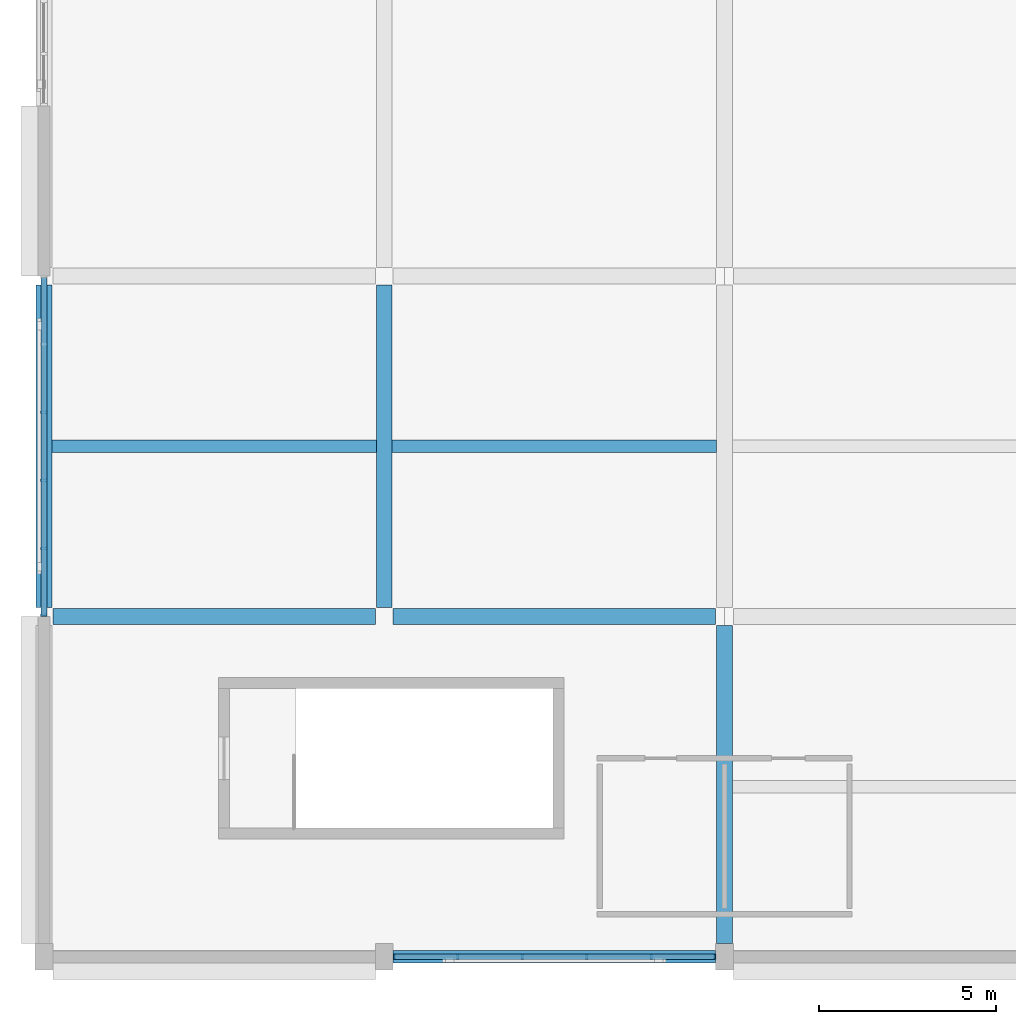
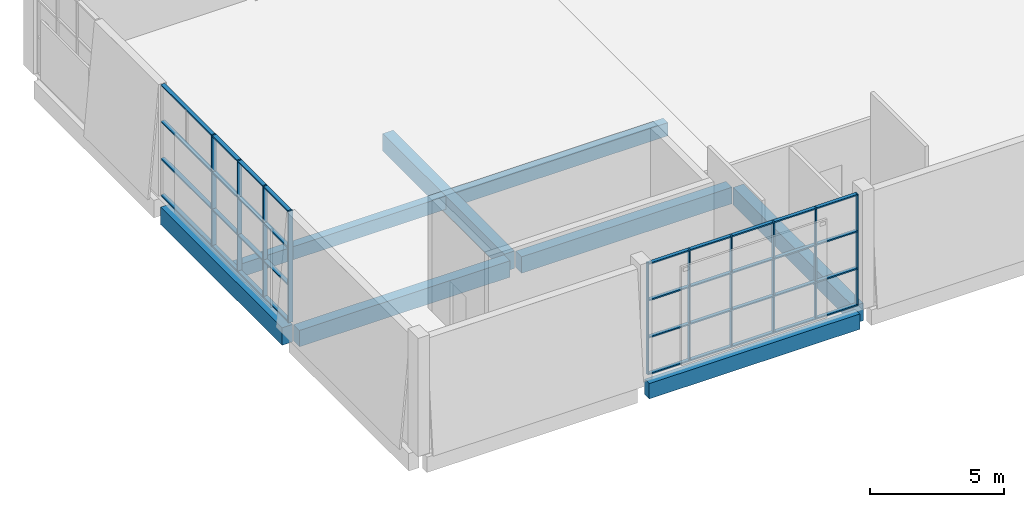
# One storey, part 3 of 72: 18 members, 8 beams, 2 elements without a shape of their own.
"""IFC4 building model written with IfcOpenShell, lengths in metres."""

from ifc_helpers import new_model, si_unit, direction, frame, origin, origin_2d, place, context, subcontext, project, spatial, rectangle, extrude, material, material_profile, profile_set, type_object, element, aggregate, save


model = new_model("IFC4")

# Units and contexts
model_context = context("Model", 3, precision=1e-05, world=origin(), true_north=direction((0.0, 1.0)))
body_context = subcontext(model_context, "Body", "Model", "MODEL_VIEW")
ifc_project = project(units=[si_unit("LENGTHUNIT", "METRE"), si_unit("AREAUNIT", "SQUARE_METRE"), si_unit("VOLUMEUNIT", "CUBIC_METRE"), si_unit("PLANEANGLEUNIT", "RADIAN"), si_unit("MASSUNIT", "GRAM", prefix="KILO")], contexts=[model_context])

# Site, building, storey
site_placement = place(None, origin())
site = spatial("IfcSite", under=ifc_project, at=site_placement, CompositionType="ELEMENT")
building_placement = place(site_placement, origin())
building = spatial("IfcBuilding", under=site, at=building_placement, Name="Shalvenor Court Art Gallery", CompositionType="ELEMENT")
storey_placement = place(building_placement, frame((0.0, 0.0, 11.39990234375)))
storey = spatial("IfcBuildingStorey", under=building, at=storey_placement, Name="L02", CompositionType="ELEMENT", Elevation=11.39990234375)

# Beams
ifc_material_1 = material(Name="Concrete C40/50", Category="concrete")
ifc_material_profile_1 = material_profile(ifc_material_1, rectangle(XDim=0.449951171875, YDim=0.800048828125, at=origin_2d()), Name="RC 450x800")
ifc_profile_set_1 = profile_set([ifc_material_profile_1], Name="Concrete C40/50")
beam_type_1 = type_object("IfcBeamType", Name="B-03", PredefinedType="BEAM", material=ifc_profile_set_1)
for number, where, z_axis, x_axis, name in (
    (1, (0.0, 9.85009765625, -0.719970703125), (0.0, 1.0, 0.0), (-1.0, 0.0, 0.0), "L02 Girder BM-L02-B-03-0688"),
    (2, (9.60009765625, 9.85009765625, -0.719970703125), (0.0, 1.0, 0.0), (-1.0, 0.0, 0.0), "L02 Girder BM-L02-B-03-0695"),
):
    element("IfcBeam", number, at=place(storey_placement, frame(where, z_axis=z_axis, x_axis=x_axis)), inside=storey, type_object=beam_type_1, Name=name, PredefinedType="BEAM", context=body_context, shape_type="SweptSolid", body=[
        extrude(rectangle(XDim=0.449951171875, YDim=0.800048828125, at=origin_2d()), origin(), (0.0, 0.0, 1.0), 9.099853515625),
    ])
beam_1_placement = place(storey_placement, frame((19.199951171875, 0.375, -0.719970703125), z_axis=(0.0, 1.0, 0.0), x_axis=(-1.0, 0.0, 0.0)))
element("IfcBeam", 3, at=beam_1_placement, inside=storey, type_object=beam_type_1, Name="L02 Girder BM-L02-B-03-0702", PredefinedType="BEAM", context=body_context, shape_type="SweptSolid", body=[
    extrude(rectangle(XDim=0.449951171875, YDim=0.800048828125, at=origin_2d()), origin(), (0.0, 0.0, 1.0), 8.97509765625),
])
ifc_material_2 = material(Name="Concrete C40/50", Category="concrete")
ifc_material_profile_2 = material_profile(ifc_material_2, rectangle(XDim=0.449951171875, YDim=0.75, at=origin_2d()), Name="RC 450x750")
ifc_profile_set_2 = profile_set([ifc_material_profile_2], Name="Concrete C40/50")
beam_type_2 = type_object("IfcBeamType", Name="B-04", PredefinedType="BEAM", material=ifc_profile_set_2)
beam_2_placement = place(storey_placement, frame((0.25, 9.60009765625, -0.69482421875), z_axis=(1.0, 0.0, 0.0), x_axis=(0.0, 1.0, 0.0)))
element("IfcBeam", 4, at=beam_2_placement, inside=storey, type_object=beam_type_2, Name="L02 Girder BM-L02-B-04-0807", PredefinedType="BEAM", context=body_context, shape_type="SweptSolid", body=[
    extrude(rectangle(XDim=0.449951171875, YDim=0.75, at=origin_2d()), origin(), (0.0, 0.0, 1.0), 9.10009765625),
])
beam_3_placement = place(storey_placement, frame((9.85009765625, 9.60009765625, -0.69482421875), z_axis=(1.0, 0.0, 0.0), x_axis=(0.0, 1.0, 0.0)))
element("IfcBeam", 5, at=beam_3_placement, inside=storey, type_object=beam_type_2, Name="L02 Girder BM-L02-B-04-0808", PredefinedType="BEAM", context=body_context, shape_type="SweptSolid", body=[
    extrude(rectangle(XDim=0.449951171875, YDim=0.75, at=origin_2d()), origin(), (0.0, 0.0, 1.0), 9.099853515625),
])

# Curtain wall, members
ifc_material_3 = material(Name="Anodised aluminium and low-iron glass curtain wall", Category="aluminium")
curtain_wall_type_1 = type_object("IfcCurtainWallType", Name="CW-5x3-96-51-121", PredefinedType="USERDEFINED", material=ifc_material_3)
curtain_wall_1_placement = place(storey_placement, origin())
curtain_wall_1 = element("IfcCurtainWall", 6, at=curtain_wall_1_placement, inside=storey, type_object=curtain_wall_type_1, Name="L02 V4 Curtain Wall CW-L02-148", ObjectType="CURTAIN WALL", PredefinedType="USERDEFINED")
ifc_material_4 = material(Name="Anodised aluminium mullion", Category="aluminium")
ifc_material_profile_3 = material_profile(ifc_material_4, rectangle(XDim=0.06494140625, YDim=0.179931640625, at=origin_2d()), Name="CWM-01")
ifc_profile_set_3 = profile_set([ifc_material_profile_3], Name="Anodised aluminium mullion")
member_type_1 = type_object("IfcMemberType", Name="CWM-01", PredefinedType="MULLION", material=ifc_profile_set_3)
member_1_placement = place(storey_placement, frame((0.0, 9.632568359375, 0.0), z_axis=(0.0, 0.0, 1.0), x_axis=(0.0, 1.0, 0.0)))
member_1 = element("IfcMember", 7, at=member_1_placement, type_object=member_type_1, Name="CW-5x3-96-51-121 mullion 1", PredefinedType="MULLION", context=body_context, shape_type="SweptSolid", body=[
    extrude(rectangle(XDim=0.06494140625, YDim=0.179931640625, at=origin_2d()), origin(), (0.0, 0.0, 1.0), 5.10009765625),
])
member_2_placement = place(storey_placement, frame((0.0, 11.52001953125, 0.0), z_axis=(0.0, 0.0, 1.0), x_axis=(0.0, 1.0, 0.0)))
member_2 = element("IfcMember", 8, at=member_2_placement, type_object=member_type_1, Name="CW-5x3-96-51-121 mullion 2", PredefinedType="MULLION", context=body_context, shape_type="SweptSolid", body=[
    extrude(rectangle(XDim=0.06494140625, YDim=0.179931640625, at=origin_2d()), origin(), (0.0, 0.0, 1.0), 5.10009765625),
])
member_3_placement = place(storey_placement, frame((0.0, 13.43994140625, 0.0), z_axis=(0.0, 0.0, 1.0), x_axis=(0.0, 1.0, 0.0)))
member_3 = element("IfcMember", 9, at=member_3_placement, type_object=member_type_1, Name="CW-5x3-96-51-121 mullion 3", PredefinedType="MULLION", context=body_context, shape_type="SweptSolid", body=[
    extrude(rectangle(XDim=0.06494140625, YDim=0.179931640625, at=origin_2d()), origin(), (0.0, 0.0, 1.0), 5.10009765625),
])
member_4_placement = place(storey_placement, frame((0.0, 15.360107421875, 0.0), z_axis=(0.0, 0.0, 1.0), x_axis=(0.0, 1.0, 0.0)))
member_4 = element("IfcMember", 10, at=member_4_placement, type_object=member_type_1, Name="CW-5x3-96-51-121 mullion 4", PredefinedType="MULLION", context=body_context, shape_type="SweptSolid", body=[
    extrude(rectangle(XDim=0.06494140625, YDim=0.179931640625, at=origin_2d()), origin(), (0.0, 0.0, 1.0), 5.10009765625),
])

ifc_material_5 = material(Name="Anodised aluminium and low-iron glass curtain wall", Category="aluminium")
curtain_wall_type_2 = type_object("IfcCurtainWallType", Name="CW-5x3-91-51-611", PredefinedType="USERDEFINED", material=ifc_material_5)
curtain_wall_2_placement = place(storey_placement, origin())
curtain_wall_2 = element("IfcCurtainWall", 11, at=curtain_wall_2_placement, inside=storey, type_object=curtain_wall_type_2, Name="L02 V4 Curtain Wall CW-L02-147", ObjectType="CURTAIN WALL", PredefinedType="USERDEFINED")
ifc_material_6 = material(Name="Anodised aluminium mullion", Category="aluminium")
ifc_material_profile_4 = material_profile(ifc_material_6, rectangle(XDim=0.054931640625, YDim=0.139892578125, at=origin_2d()), Name="CWM-06")
ifc_profile_set_4 = profile_set([ifc_material_profile_4], Name="Anodised aluminium mullion")
member_type_2 = type_object("IfcMemberType", Name="CWM-06", PredefinedType="MULLION", material=ifc_profile_set_4)
member_5_placement = place(storey_placement, frame((18.922607421875, 0.0, 0.0), z_axis=(0.0, 0.0, 1.0), x_axis=(-1.0, 0.0, 0.0)))
member_5 = element("IfcMember", 12, at=member_5_placement, type_object=member_type_2, Name="CW-5x3-91-51-611 mullion 1", PredefinedType="MULLION", context=body_context, shape_type="SweptSolid", body=[
    extrude(rectangle(XDim=0.054931640625, YDim=0.139892578125, at=origin_2d()), origin(), (0.0, 0.0, 1.0), 5.10009765625),
])
member_6_placement = place(storey_placement, frame((17.1298828125, 0.0, 0.0), z_axis=(0.0, 0.0, 1.0), x_axis=(-1.0, 0.0, 0.0)))
member_6 = element("IfcMember", 13, at=member_6_placement, type_object=member_type_2, Name="CW-5x3-91-51-611 mullion 2", PredefinedType="MULLION", context=body_context, shape_type="SweptSolid", body=[
    extrude(rectangle(XDim=0.054931640625, YDim=0.139892578125, at=origin_2d()), origin(), (0.0, 0.0, 1.0), 5.10009765625),
])
member_7_placement = place(storey_placement, frame((15.31005859375, 0.0, 0.0), z_axis=(0.0, 0.0, 1.0), x_axis=(-1.0, 0.0, 0.0)))
member_7 = element("IfcMember", 14, at=member_7_placement, type_object=member_type_2, Name="CW-5x3-91-51-611 mullion 3", PredefinedType="MULLION", context=body_context, shape_type="SweptSolid", body=[
    extrude(rectangle(XDim=0.054931640625, YDim=0.139892578125, at=origin_2d()), origin(), (0.0, 0.0, 1.0), 5.10009765625),
])
member_8_placement = place(storey_placement, frame((13.489990234375, 0.0, 0.0), z_axis=(0.0, 0.0, 1.0), x_axis=(-1.0, 0.0, 0.0)))
member_8 = element("IfcMember", 15, at=member_8_placement, type_object=member_type_2, Name="CW-5x3-91-51-611 mullion 4", PredefinedType="MULLION", context=body_context, shape_type="SweptSolid", body=[
    extrude(rectangle(XDim=0.054931640625, YDim=0.139892578125, at=origin_2d()), origin(), (0.0, 0.0, 1.0), 5.10009765625),
])
member_9_placement = place(storey_placement, frame((11.669921875, 0.0, 0.0), z_axis=(0.0, 0.0, 1.0), x_axis=(-1.0, 0.0, 0.0)))
member_9 = element("IfcMember", 16, at=member_9_placement, type_object=member_type_2, Name="CW-5x3-91-51-611 mullion 5", PredefinedType="MULLION", context=body_context, shape_type="SweptSolid", body=[
    extrude(rectangle(XDim=0.054931640625, YDim=0.139892578125, at=origin_2d()), origin(), (0.0, 0.0, 1.0), 5.10009765625),
])
member_10_placement = place(storey_placement, frame((9.87744140625, 0.0, 0.0), z_axis=(0.0, 0.0, 1.0), x_axis=(-1.0, 0.0, 0.0)))
member_10 = element("IfcMember", 17, at=member_10_placement, type_object=member_type_2, Name="CW-5x3-91-51-611 mullion 6", PredefinedType="MULLION", context=body_context, shape_type="SweptSolid", body=[
    extrude(rectangle(XDim=0.054931640625, YDim=0.139892578125, at=origin_2d()), origin(), (0.0, 0.0, 1.0), 5.10009765625),
])
ifc_material_7 = material(Name="Anodised aluminium transom", Category="aluminium")
ifc_material_profile_5 = material_profile(ifc_material_7, rectangle(XDim=0.14990234375, YDim=0.06005859375, at=origin_2d()), Name="CWT-01")
ifc_profile_set_5 = profile_set([ifc_material_profile_5], Name="Anodised aluminium transom")
member_type_3 = type_object("IfcMemberType", Name="CWT-01", PredefinedType="USERDEFINED", material=ifc_profile_set_5)
member_11_placement = place(storey_placement, frame((18.922607421875, 0.0, 0.030029296875), z_axis=(-1.0, 0.0, 0.0), x_axis=(0.0, -1.0, 0.0)))
member_11 = element("IfcMember", 18, at=member_11_placement, type_object=member_type_3, Name="CW-5x3-91-51-611 transom 1", ObjectType="TRANSOM", PredefinedType="USERDEFINED", context=body_context, shape_type="SweptSolid", body=[
    extrude(rectangle(XDim=0.14990234375, YDim=0.06005859375, at=origin_2d()), origin(), (0.0, 0.0, 1.0), 9.045166015625),
])
member_12_placement = place(storey_placement, frame((18.922607421875, 0.0, 1.7001953125), z_axis=(-1.0, 0.0, 0.0), x_axis=(0.0, -1.0, 0.0)))
member_12 = element("IfcMember", 19, at=member_12_placement, type_object=member_type_3, Name="CW-5x3-91-51-611 transom 2", ObjectType="TRANSOM", PredefinedType="USERDEFINED", context=body_context, shape_type="SweptSolid", body=[
    extrude(rectangle(XDim=0.14990234375, YDim=0.06005859375, at=origin_2d()), origin(), (0.0, 0.0, 1.0), 9.045166015625),
])
member_13_placement = place(storey_placement, frame((18.922607421875, 0.0, 3.400146484375), z_axis=(-1.0, 0.0, 0.0), x_axis=(0.0, -1.0, 0.0)))
member_13 = element("IfcMember", 20, at=member_13_placement, type_object=member_type_3, Name="CW-5x3-91-51-611 transom 3", ObjectType="TRANSOM", PredefinedType="USERDEFINED", context=body_context, shape_type="SweptSolid", body=[
    extrude(rectangle(XDim=0.14990234375, YDim=0.06005859375, at=origin_2d()), origin(), (0.0, 0.0, 1.0), 9.045166015625),
])
member_14_placement = place(storey_placement, frame((18.922607421875, 0.0, 5.070068359375), z_axis=(-1.0, 0.0, 0.0), x_axis=(0.0, -1.0, 0.0)))
member_14 = element("IfcMember", 21, at=member_14_placement, type_object=member_type_3, Name="CW-5x3-91-51-611 transom 4", ObjectType="TRANSOM", PredefinedType="USERDEFINED", context=body_context, shape_type="SweptSolid", body=[
    extrude(rectangle(XDim=0.14990234375, YDim=0.06005859375, at=origin_2d()), origin(), (0.0, 0.0, 1.0), 9.045166015625),
])
aggregate(curtain_wall_2, [member_5, member_6, member_7, member_8, member_9, member_10, member_11, member_12, member_13, member_14])

# Member
ifc_material_8 = material(Name="Anodised aluminium transom", Category="aluminium")
ifc_material_profile_6 = material_profile(ifc_material_8, rectangle(XDim=0.169921875, YDim=0.06494140625, at=origin_2d()), Name="CWT-02")
ifc_profile_set_6 = profile_set([ifc_material_profile_6], Name="Anodised aluminium transom")
member_type_4 = type_object("IfcMemberType", Name="CWT-02", PredefinedType="USERDEFINED", material=ifc_profile_set_6)
member_15_placement = place(storey_placement, frame((0.0, 9.632568359375, 0.03271484375), z_axis=(0.0, 1.0, 0.0), x_axis=(-1.0, 0.0, 0.0)))
member_15 = element("IfcMember", 22, at=member_15_placement, type_object=member_type_4, Name="CW-5x3-96-51-121 transom 1", ObjectType="TRANSOM", PredefinedType="USERDEFINED", context=body_context, shape_type="SweptSolid", body=[
    extrude(rectangle(XDim=0.169921875, YDim=0.06494140625, at=origin_2d()), origin(), (0.0, 0.0, 1.0), 9.534912109375),
])

member_16_placement = place(storey_placement, frame((0.0, 9.632568359375, 1.7001953125), z_axis=(0.0, 1.0, 0.0), x_axis=(-1.0, 0.0, 0.0)))
member_16 = element("IfcMember", 23, at=member_16_placement, type_object=member_type_4, Name="CW-5x3-96-51-121 transom 2", ObjectType="TRANSOM", PredefinedType="USERDEFINED", context=body_context, shape_type="SweptSolid", body=[
    extrude(rectangle(XDim=0.169921875, YDim=0.06494140625, at=origin_2d()), origin(), (0.0, 0.0, 1.0), 9.534912109375),
])

member_17_placement = place(storey_placement, frame((0.0, 9.632568359375, 3.400146484375), z_axis=(0.0, 1.0, 0.0), x_axis=(-1.0, 0.0, 0.0)))
member_17 = element("IfcMember", 24, at=member_17_placement, type_object=member_type_4, Name="CW-5x3-96-51-121 transom 3", ObjectType="TRANSOM", PredefinedType="USERDEFINED", context=body_context, shape_type="SweptSolid", body=[
    extrude(rectangle(XDim=0.169921875, YDim=0.06494140625, at=origin_2d()), origin(), (0.0, 0.0, 1.0), 9.534912109375),
])

member_18_placement = place(storey_placement, frame((0.0, 9.632568359375, 5.067626953125), z_axis=(0.0, 1.0, 0.0), x_axis=(-1.0, 0.0, 0.0)))
member_18 = element("IfcMember", 25, at=member_18_placement, type_object=member_type_4, Name="CW-5x3-96-51-121 transom 4", ObjectType="TRANSOM", PredefinedType="USERDEFINED", context=body_context, shape_type="SweptSolid", body=[
    extrude(rectangle(XDim=0.169921875, YDim=0.06494140625, at=origin_2d()), origin(), (0.0, 0.0, 1.0), 9.534912109375),
])

aggregate(curtain_wall_1, [member_1, member_2, member_3, member_4, member_15, member_16, member_17, member_18])

# Beams
ifc_material_9 = material(Name="Concrete C40/50", Category="concrete")
ifc_material_profile_7 = material_profile(ifc_material_9, rectangle(XDim=0.35009765625, YDim=0.60009765625, at=origin_2d()), Name="RC 350x600")
ifc_profile_set_7 = profile_set([ifc_material_profile_7], Name="Concrete C40/50")
beam_type_3 = type_object("IfcBeamType", Name="J-01", PredefinedType="JOIST", material=ifc_profile_set_7)
beam_4_placement = place(storey_placement, frame((0.22509765625, 14.39990234375, -0.619873046875), z_axis=(1.0, 0.0, 0.0), x_axis=(0.0, 1.0, 0.0)))
element("IfcBeam", 26, at=beam_4_placement, inside=storey, type_object=beam_type_3, Name="L02 Secondary Beam JST-L02-J-01-0913", PredefinedType="JOIST", context=body_context, shape_type="SweptSolid", body=[
    extrude(rectangle(XDim=0.35009765625, YDim=0.60009765625, at=origin_2d()), origin(), (0.0, 0.0, 1.0), 9.14990234375),
])
beam_5_placement = place(storey_placement, frame((9.824951171875, 14.39990234375, -0.619873046875), z_axis=(1.0, 0.0, 0.0), x_axis=(0.0, 1.0, 0.0)))
element("IfcBeam", 27, at=beam_5_placement, inside=storey, type_object=beam_type_3, Name="L02 Secondary Beam JST-L02-J-01-0918", PredefinedType="JOIST", context=body_context, shape_type="SweptSolid", body=[
    extrude(rectangle(XDim=0.35009765625, YDim=0.60009765625, at=origin_2d()), origin(), (0.0, 0.0, 1.0), 9.150146484375),
])
ifc_material_10 = material(Name="Concrete C40/50", Category="concrete")
ifc_material_profile_8 = material_profile(ifc_material_10, rectangle(XDim=0.35009765625, YDim=0.699951171875, at=origin_2d()), Name="RC 350x700")
ifc_profile_set_8 = profile_set([ifc_material_profile_8], Name="Concrete C40/50")
beam_type_4 = type_object("IfcBeamType", Name="SP-01", PredefinedType="SPANDREL", material=ifc_profile_set_8)
beam_6_placement = place(storey_placement, frame((9.85009765625, 0.0, -0.669921875), z_axis=(1.0, 0.0, 0.0), x_axis=(0.0, 1.0, 0.0)))
element("IfcBeam", 28, at=beam_6_placement, inside=storey, type_object=beam_type_4, Name="L02 Spandrel Girder BM-L02-SP-01-0798", PredefinedType="SPANDREL", context=body_context, shape_type="SweptSolid", body=[
    extrude(rectangle(XDim=0.35009765625, YDim=0.699951171875, at=origin_2d()), origin(), (0.0, 0.0, 1.0), 9.099853515625),
])

save(model, "model.ifc")
